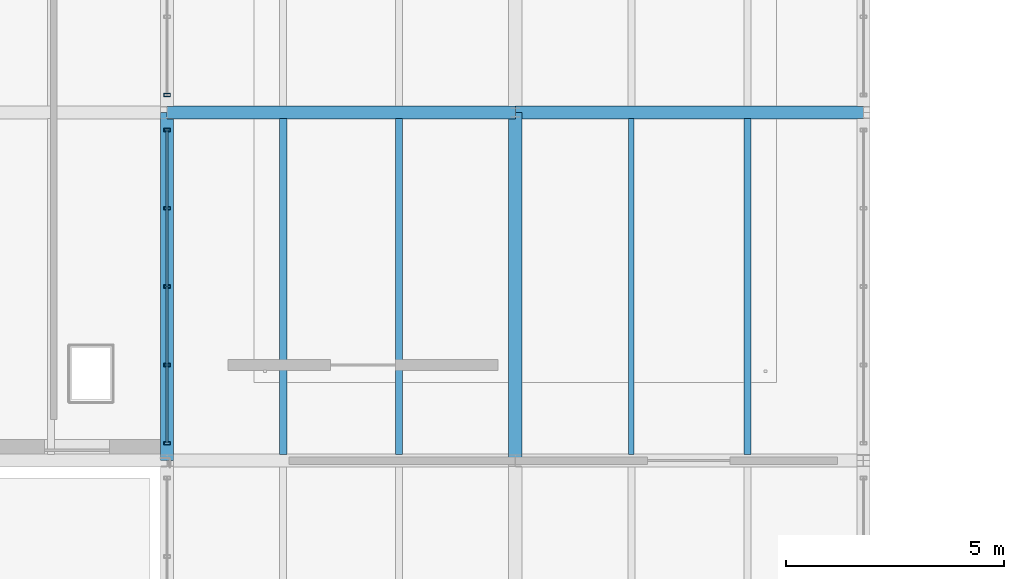
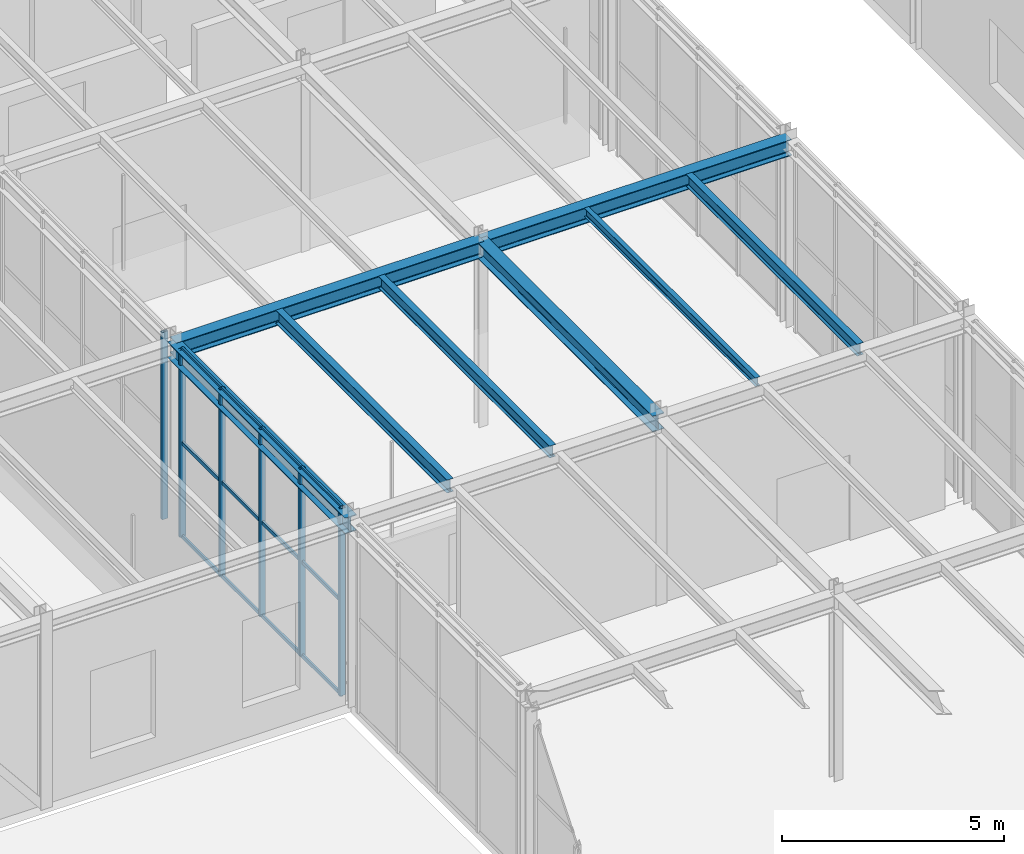
# One storey, part 46 of 129: 18 members, 8 beams, 2 elements without a shape of their own.
"""IFC4 building model written with IfcOpenShell, lengths in metres."""

from ifc_helpers import new_model, si_unit, direction, frame, origin, origin_2d, place, context, subcontext, project, spatial, hollow_rectangle, i_section, extrude, material, material_profile, profile_set, type_object, element, aggregate, save


model = new_model("IFC4")

# Units and contexts
model_context = context("Model", 3, precision=1e-05, world=origin(), true_north=direction((0.0, 1.0)))
body_context = subcontext(model_context, "Body", "Model", "MODEL_VIEW")
ifc_project = project(units=[si_unit("LENGTHUNIT", "METRE"), si_unit("AREAUNIT", "SQUARE_METRE"), si_unit("VOLUMEUNIT", "CUBIC_METRE"), si_unit("PLANEANGLEUNIT", "RADIAN"), si_unit("MASSUNIT", "GRAM", prefix="KILO")], contexts=[model_context])

# Site, building, storey
site_placement = place(None, origin())
site = spatial("IfcSite", under=ifc_project, at=site_placement, CompositionType="ELEMENT")
building_placement = place(site_placement, origin())
building = spatial("IfcBuilding", under=site, at=building_placement, Name="Sundkrona Museum", CompositionType="ELEMENT")
storey_placement = place(building_placement, origin())
storey = spatial("IfcBuildingStorey", under=building, at=storey_placement, Name="L00", CompositionType="ELEMENT", Elevation=0.0)

# Beams
ifc_material_1 = material(Name="Steel S355J2", Category="steel")
ifc_material_profile_1 = material_profile(ifc_material_1, i_section(OverallWidth=0.300048828125, OverallDepth=0.43994140625, WebThickness=0.011474609375, FlangeThickness=0.02099609375, FilletRadius=0.027099609375, at=origin_2d()), Name="HEA 450")
ifc_profile_set_1 = profile_set([ifc_material_profile_1], Name="Steel S355J2")
beam_type_1 = type_object("IfcBeamType", Name="B-HEA450", PredefinedType="BEAM", material=ifc_profile_set_1)
for number, where, z_axis, x_axis, name in (
    (1, (80.0, 86.0, 4.919921875), (1.0, 0.0, 0.0), (0.0, 1.0, 0.0), "L00 Girder X-0538"),
    (2, (88.0, 86.0, 4.919921875), (1.0, 0.0, 0.0), (0.0, 1.0, 0.0), "L00 Girder X-0539"),
    (3, (80.0, 78.0, 4.919921875), (0.0, 1.0, 0.0), (-1.0, 0.0, 0.0), "L00 Girder Y-0681"),
    (4, (88.0, 78.0, 4.919921875), (0.0, 1.0, 0.0), (-1.0, 0.0, 0.0), "L00 Girder Y-0696"),
):
    element("IfcBeam", number, at=place(storey_placement, frame(where, z_axis=z_axis, x_axis=x_axis)), inside=storey, type_object=beam_type_1, Name=name, PredefinedType="BEAM", context=body_context, shape_type="SweptSolid", body=[
        extrude(i_section(OverallWidth=0.300048828125, OverallDepth=0.43994140625, WebThickness=0.011474609375, FlangeThickness=0.02099609375, FilletRadius=0.027099609375, at=origin_2d()), origin(), (0.0, 0.0, 1.0), 8.0),
    ])
ifc_material_profile_2 = material_profile(ifc_material_1, i_section(OverallWidth=0.1201171875, OverallDepth=0.239990234375, WebThickness=0.006103515625, FlangeThickness=0.009765625, FilletRadius=0.014892578125, at=origin_2d()), Name="IPE 240")
ifc_profile_set_2 = profile_set([ifc_material_profile_2], Name="Steel S355J2")
beam_type_2 = type_object("IfcBeamType", Name="J-IPE240", PredefinedType="JOIST", material=ifc_profile_set_2)
beam_1_placement = place(storey_placement, frame((90.666748046875, 78.14404296875, 5.02001953125), z_axis=(0.0, 1.0, 0.0), x_axis=(-1.0, 0.0, 0.0)))
element("IfcBeam", 5, at=beam_1_placement, inside=storey, type_object=beam_type_2, Name="L00 Composite Joist 0425", PredefinedType="JOIST", context=body_context, shape_type="SweptSolid", body=[
    extrude(i_section(OverallWidth=0.1201171875, OverallDepth=0.239990234375, WebThickness=0.006103515625, FlangeThickness=0.009765625, FilletRadius=0.014892578125, at=origin_2d()), origin(), (0.0, 0.0, 1.0), 7.7119140625),
])
ifc_material_profile_3 = material_profile(ifc_material_1, i_section(OverallWidth=0.159912109375, OverallDepth=0.330078125, WebThickness=0.007568359375, FlangeThickness=0.011474609375, FilletRadius=0.01806640625, at=origin_2d()), Name="IPE 330")
ifc_profile_set_3 = profile_set([ifc_material_profile_3], Name="Steel S355J2")
beam_type_3 = type_object("IfcBeamType", Name="J-IPE330", PredefinedType="JOIST", material=ifc_profile_set_3)
for number, where, z_axis, x_axis, name in (
    (6, (85.333251953125, 78.14404296875, 4.97509765625), (0.0, 1.0, 0.0), (-1.0, 0.0, 0.0), "L00 Composite Joist 0406"),
    (7, (93.333251953125, 78.14404296875, 4.97509765625), (0.0, 1.0, 0.0), (-1.0, 0.0, 0.0), "L00 Composite Joist 0426"),
):
    element("IfcBeam", number, at=place(storey_placement, frame(where, z_axis=z_axis, x_axis=x_axis)), inside=storey, type_object=beam_type_3, Name=name, PredefinedType="JOIST", context=body_context, shape_type="SweptSolid", body=[
        extrude(i_section(OverallWidth=0.159912109375, OverallDepth=0.330078125, WebThickness=0.007568359375, FlangeThickness=0.011474609375, FilletRadius=0.01806640625, at=origin_2d()), origin(), (0.0, 0.0, 1.0), 7.7119140625),
    ])
ifc_material_profile_4 = material_profile(ifc_material_1, i_section(OverallWidth=0.169921875, OverallDepth=0.360107421875, WebThickness=0.008056640625, FlangeThickness=0.0126953125, FilletRadius=0.01806640625, at=origin_2d()), Name="IPE 360")
ifc_profile_set_4 = profile_set([ifc_material_profile_4], Name="Steel S355J2")
beam_type_4 = type_object("IfcBeamType", Name="J-IPE360", PredefinedType="JOIST", material=ifc_profile_set_4)
beam_2_placement = place(storey_placement, frame((82.666748046875, 78.14404296875, 4.9599609375), z_axis=(0.0, 1.0, 0.0), x_axis=(-1.0, 0.0, 0.0)))
element("IfcBeam", 8, at=beam_2_placement, inside=storey, type_object=beam_type_4, Name="L00 Composite Joist 0405", PredefinedType="JOIST", context=body_context, shape_type="SweptSolid", body=[
    extrude(i_section(OverallWidth=0.169921875, OverallDepth=0.360107421875, WebThickness=0.008056640625, FlangeThickness=0.0126953125, FilletRadius=0.01806640625, at=origin_2d()), origin(), (0.0, 0.0, 1.0), 7.7119140625),
])

# Curtain wall, members
ifc_material_2 = material(Name="Unitised Aluminium-Steel and Ceramic-Clad Curtain Walling", Category="steel")
curtain_wall_type = type_object("IfcCurtainWallType", Name="CW-PS-74x48", PredefinedType="NOTDEFINED", material=ifc_material_2)
curtain_wall_1_placement = place(storey_placement, origin())
curtain_wall_1 = element("IfcCurtainWall", 9, at=curtain_wall_1_placement, inside=storey, type_object=curtain_wall_type, Name="L00 Curtain Wall CW-L00-102", PredefinedType="NOTDEFINED")
ifc_material_3 = material(Name="Aluminium EN AW-6060 T66", Category="aluminium")
ifc_material_profile_5 = material_profile(ifc_material_3, hollow_rectangle(XDim=0.074951171875, YDim=0.14990234375, WallThickness=0.00634765625, at=origin_2d()), Name="RHS 150x75x6.3")
ifc_profile_set_5 = profile_set([ifc_material_profile_5], Name="Aluminium EN AW-6060 T66")
member_type_1 = type_object("IfcMemberType", Name="ML-150", PredefinedType="MULLION", material=ifc_profile_set_5)
member_1_placement = place(storey_placement, frame((80.0, 78.39990234375, -0.00390625), z_axis=(0.0, 0.0, 1.0), x_axis=(0.0, 1.0, 0.0)))
member_1 = element("IfcMember", 10, at=member_1_placement, type_object=member_type_1, Name="CW-L00-102 Mullion 01", PredefinedType="MULLION", context=body_context, shape_type="SweptSolid", body=[
    extrude(hollow_rectangle(XDim=0.074951171875, YDim=0.14990234375, WallThickness=0.00634765625, at=origin_2d()), origin(), (0.0, 0.0, 1.0), 5.14794921875),
])
member_2_placement = place(storey_placement, frame((80.0, 80.199951171875, -0.00390625), z_axis=(0.0, 0.0, 1.0), x_axis=(0.0, 1.0, 0.0)))
member_2 = element("IfcMember", 11, at=member_2_placement, type_object=member_type_1, Name="CW-L00-102 Mullion 02", PredefinedType="MULLION", context=body_context, shape_type="SweptSolid", body=[
    extrude(hollow_rectangle(XDim=0.074951171875, YDim=0.14990234375, WallThickness=0.00634765625, at=origin_2d()), origin(), (0.0, 0.0, 1.0), 5.14794921875),
])
member_3_placement = place(storey_placement, frame((80.0, 82.0, -0.00390625), z_axis=(0.0, 0.0, 1.0), x_axis=(0.0, 1.0, 0.0)))
member_3 = element("IfcMember", 12, at=member_3_placement, type_object=member_type_1, Name="CW-L00-102 Mullion 03", PredefinedType="MULLION", context=body_context, shape_type="SweptSolid", body=[
    extrude(hollow_rectangle(XDim=0.074951171875, YDim=0.14990234375, WallThickness=0.00634765625, at=origin_2d()), origin(), (0.0, 0.0, 1.0), 5.14794921875),
])
member_4_placement = place(storey_placement, frame((80.0, 83.800048828125, -0.00390625), z_axis=(0.0, 0.0, 1.0), x_axis=(0.0, 1.0, 0.0)))
member_4 = element("IfcMember", 13, at=member_4_placement, type_object=member_type_1, Name="CW-L00-102 Mullion 04", PredefinedType="MULLION", context=body_context, shape_type="SweptSolid", body=[
    extrude(hollow_rectangle(XDim=0.074951171875, YDim=0.14990234375, WallThickness=0.00634765625, at=origin_2d()), origin(), (0.0, 0.0, 1.0), 5.14794921875),
])
member_5_placement = place(storey_placement, frame((80.0, 85.60009765625, -0.00390625), z_axis=(0.0, 0.0, 1.0), x_axis=(0.0, 1.0, 0.0)))
member_5 = element("IfcMember", 14, at=member_5_placement, type_object=member_type_1, Name="CW-L00-102 Mullion 05", PredefinedType="MULLION", context=body_context, shape_type="SweptSolid", body=[
    extrude(hollow_rectangle(XDim=0.074951171875, YDim=0.14990234375, WallThickness=0.00634765625, at=origin_2d()), origin(), (0.0, 0.0, 1.0), 5.14794921875),
])

# Curtain wall, member
curtain_wall_2_placement = place(storey_placement, origin())
curtain_wall_2 = element("IfcCurtainWall", 15, at=curtain_wall_2_placement, inside=storey, type_object=curtain_wall_type, Name="L00 Curtain Wall CW-L00-104", PredefinedType="NOTDEFINED")
member_6_placement = place(storey_placement, frame((80.0, 86.39990234375, -0.00390625), z_axis=(0.0, 0.0, 1.0), x_axis=(0.0, 1.0, 0.0)))
member_6 = element("IfcMember", 16, at=member_6_placement, type_object=member_type_1, Name="CW-L00-104 Mullion 01", PredefinedType="MULLION", context=body_context, shape_type="SweptSolid", body=[
    extrude(hollow_rectangle(XDim=0.074951171875, YDim=0.14990234375, WallThickness=0.00634765625, at=origin_2d()), origin(), (0.0, 0.0, 1.0), 5.14794921875),
])
aggregate(curtain_wall_2, [member_6])

# Member
ifc_material_profile_6 = material_profile(ifc_material_3, hollow_rectangle(XDim=0.050048828125, YDim=0.10009765625, WallThickness=0.0048828125, at=origin_2d()), Name="RHS 100x50x5.0")
ifc_profile_set_6 = profile_set([ifc_material_profile_6], Name="Aluminium EN AW-6060 T66")
member_type_2 = type_object("IfcMemberType", Name="TR-100", PredefinedType="USERDEFINED", material=ifc_profile_set_6)
member_7_placement = place(storey_placement, frame((80.0, 78.39990234375, -0.00390625), z_axis=(0.0, 1.0, 0.0), x_axis=(-1.0, 0.0, 0.0)))
member_7 = element("IfcMember", 17, at=member_7_placement, type_object=member_type_2, Name="CW-L00-102 Transom 01", ObjectType="TRANSOM", PredefinedType="USERDEFINED", context=body_context, shape_type="SweptSolid", body=[
    extrude(hollow_rectangle(XDim=0.050048828125, YDim=0.10009765625, WallThickness=0.0048828125, at=origin_2d()), origin(), (0.0, 0.0, 1.0), 1.800048828125),
])

member_8_placement = place(storey_placement, frame((80.0, 78.39990234375, 2.570068359375), z_axis=(0.0, 1.0, 0.0), x_axis=(-1.0, 0.0, 0.0)))
member_8 = element("IfcMember", 18, at=member_8_placement, type_object=member_type_2, Name="CW-L00-102 Transom 02", ObjectType="TRANSOM", PredefinedType="USERDEFINED", context=body_context, shape_type="SweptSolid", body=[
    extrude(hollow_rectangle(XDim=0.050048828125, YDim=0.10009765625, WallThickness=0.0048828125, at=origin_2d()), origin(), (0.0, 0.0, 1.0), 1.800048828125),
])

member_9_placement = place(storey_placement, frame((80.0, 78.39990234375, 5.14404296875), z_axis=(0.0, 1.0, 0.0), x_axis=(-1.0, 0.0, 0.0)))
member_9 = element("IfcMember", 19, at=member_9_placement, type_object=member_type_2, Name="CW-L00-102 Transom 03", ObjectType="TRANSOM", PredefinedType="USERDEFINED", context=body_context, shape_type="SweptSolid", body=[
    extrude(hollow_rectangle(XDim=0.050048828125, YDim=0.10009765625, WallThickness=0.0048828125, at=origin_2d()), origin(), (0.0, 0.0, 1.0), 1.800048828125),
])

member_10_placement = place(storey_placement, frame((80.0, 80.199951171875, -0.00390625), z_axis=(0.0, 1.0, 0.0), x_axis=(-1.0, 0.0, 0.0)))
member_10 = element("IfcMember", 20, at=member_10_placement, type_object=member_type_2, Name="CW-L00-102 Transom 04", ObjectType="TRANSOM", PredefinedType="USERDEFINED", context=body_context, shape_type="SweptSolid", body=[
    extrude(hollow_rectangle(XDim=0.050048828125, YDim=0.10009765625, WallThickness=0.0048828125, at=origin_2d()), origin(), (0.0, 0.0, 1.0), 1.800048828125),
])

member_11_placement = place(storey_placement, frame((80.0, 80.199951171875, 2.570068359375), z_axis=(0.0, 1.0, 0.0), x_axis=(-1.0, 0.0, 0.0)))
member_11 = element("IfcMember", 21, at=member_11_placement, type_object=member_type_2, Name="CW-L00-102 Transom 05", ObjectType="TRANSOM", PredefinedType="USERDEFINED", context=body_context, shape_type="SweptSolid", body=[
    extrude(hollow_rectangle(XDim=0.050048828125, YDim=0.10009765625, WallThickness=0.0048828125, at=origin_2d()), origin(), (0.0, 0.0, 1.0), 1.800048828125),
])

member_12_placement = place(storey_placement, frame((80.0, 80.199951171875, 5.14404296875), z_axis=(0.0, 1.0, 0.0), x_axis=(-1.0, 0.0, 0.0)))
member_12 = element("IfcMember", 22, at=member_12_placement, type_object=member_type_2, Name="CW-L00-102 Transom 06", ObjectType="TRANSOM", PredefinedType="USERDEFINED", context=body_context, shape_type="SweptSolid", body=[
    extrude(hollow_rectangle(XDim=0.050048828125, YDim=0.10009765625, WallThickness=0.0048828125, at=origin_2d()), origin(), (0.0, 0.0, 1.0), 1.800048828125),
])

member_13_placement = place(storey_placement, frame((80.0, 82.0, -0.00390625), z_axis=(0.0, 1.0, 0.0), x_axis=(-1.0, 0.0, 0.0)))
member_13 = element("IfcMember", 23, at=member_13_placement, type_object=member_type_2, Name="CW-L00-102 Transom 07", ObjectType="TRANSOM", PredefinedType="USERDEFINED", context=body_context, shape_type="SweptSolid", body=[
    extrude(hollow_rectangle(XDim=0.050048828125, YDim=0.10009765625, WallThickness=0.0048828125, at=origin_2d()), origin(), (0.0, 0.0, 1.0), 1.800048828125),
])

member_14_placement = place(storey_placement, frame((80.0, 82.0, 2.570068359375), z_axis=(0.0, 1.0, 0.0), x_axis=(-1.0, 0.0, 0.0)))
member_14 = element("IfcMember", 24, at=member_14_placement, type_object=member_type_2, Name="CW-L00-102 Transom 08", ObjectType="TRANSOM", PredefinedType="USERDEFINED", context=body_context, shape_type="SweptSolid", body=[
    extrude(hollow_rectangle(XDim=0.050048828125, YDim=0.10009765625, WallThickness=0.0048828125, at=origin_2d()), origin(), (0.0, 0.0, 1.0), 1.800048828125),
])

member_15_placement = place(storey_placement, frame((80.0, 82.0, 5.14404296875), z_axis=(0.0, 1.0, 0.0), x_axis=(-1.0, 0.0, 0.0)))
member_15 = element("IfcMember", 25, at=member_15_placement, type_object=member_type_2, Name="CW-L00-102 Transom 09", ObjectType="TRANSOM", PredefinedType="USERDEFINED", context=body_context, shape_type="SweptSolid", body=[
    extrude(hollow_rectangle(XDim=0.050048828125, YDim=0.10009765625, WallThickness=0.0048828125, at=origin_2d()), origin(), (0.0, 0.0, 1.0), 1.800048828125),
])

member_16_placement = place(storey_placement, frame((80.0, 83.800048828125, -0.00390625), z_axis=(0.0, 1.0, 0.0), x_axis=(-1.0, 0.0, 0.0)))
member_16 = element("IfcMember", 26, at=member_16_placement, type_object=member_type_2, Name="CW-L00-102 Transom 10", ObjectType="TRANSOM", PredefinedType="USERDEFINED", context=body_context, shape_type="SweptSolid", body=[
    extrude(hollow_rectangle(XDim=0.050048828125, YDim=0.10009765625, WallThickness=0.0048828125, at=origin_2d()), origin(), (0.0, 0.0, 1.0), 1.800048828125),
])

member_17_placement = place(storey_placement, frame((80.0, 83.800048828125, 2.570068359375), z_axis=(0.0, 1.0, 0.0), x_axis=(-1.0, 0.0, 0.0)))
member_17 = element("IfcMember", 27, at=member_17_placement, type_object=member_type_2, Name="CW-L00-102 Transom 11", ObjectType="TRANSOM", PredefinedType="USERDEFINED", context=body_context, shape_type="SweptSolid", body=[
    extrude(hollow_rectangle(XDim=0.050048828125, YDim=0.10009765625, WallThickness=0.0048828125, at=origin_2d()), origin(), (0.0, 0.0, 1.0), 1.800048828125),
])

member_18_placement = place(storey_placement, frame((80.0, 83.800048828125, 5.14404296875), z_axis=(0.0, 1.0, 0.0), x_axis=(-1.0, 0.0, 0.0)))
member_18 = element("IfcMember", 28, at=member_18_placement, type_object=member_type_2, Name="CW-L00-102 Transom 12", ObjectType="TRANSOM", PredefinedType="USERDEFINED", context=body_context, shape_type="SweptSolid", body=[
    extrude(hollow_rectangle(XDim=0.050048828125, YDim=0.10009765625, WallThickness=0.0048828125, at=origin_2d()), origin(), (0.0, 0.0, 1.0), 1.800048828125),
])

aggregate(curtain_wall_1, [member_1, member_2, member_3, member_4, member_5, member_7, member_8, member_9, member_10, member_11, member_12, member_13, member_14, member_15, member_16, member_17, member_18])

save(model, "model.ifc")
